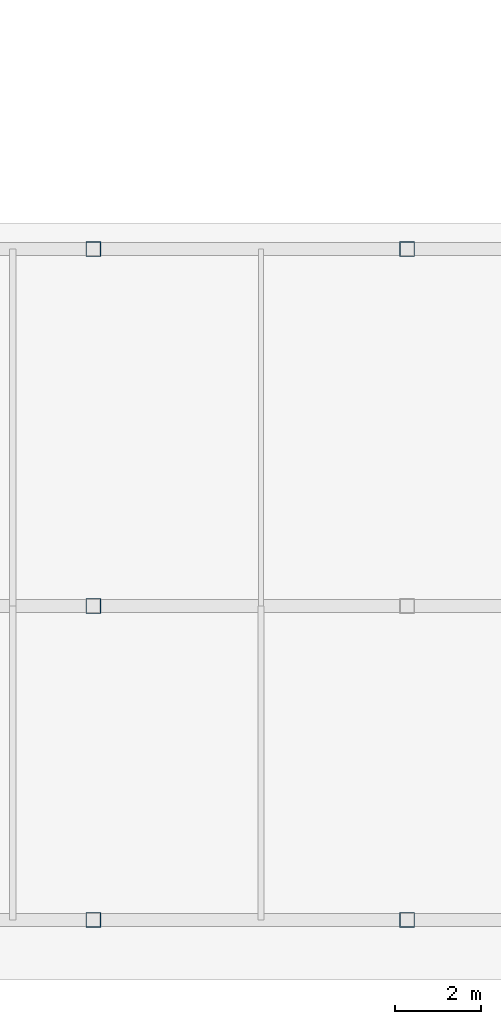
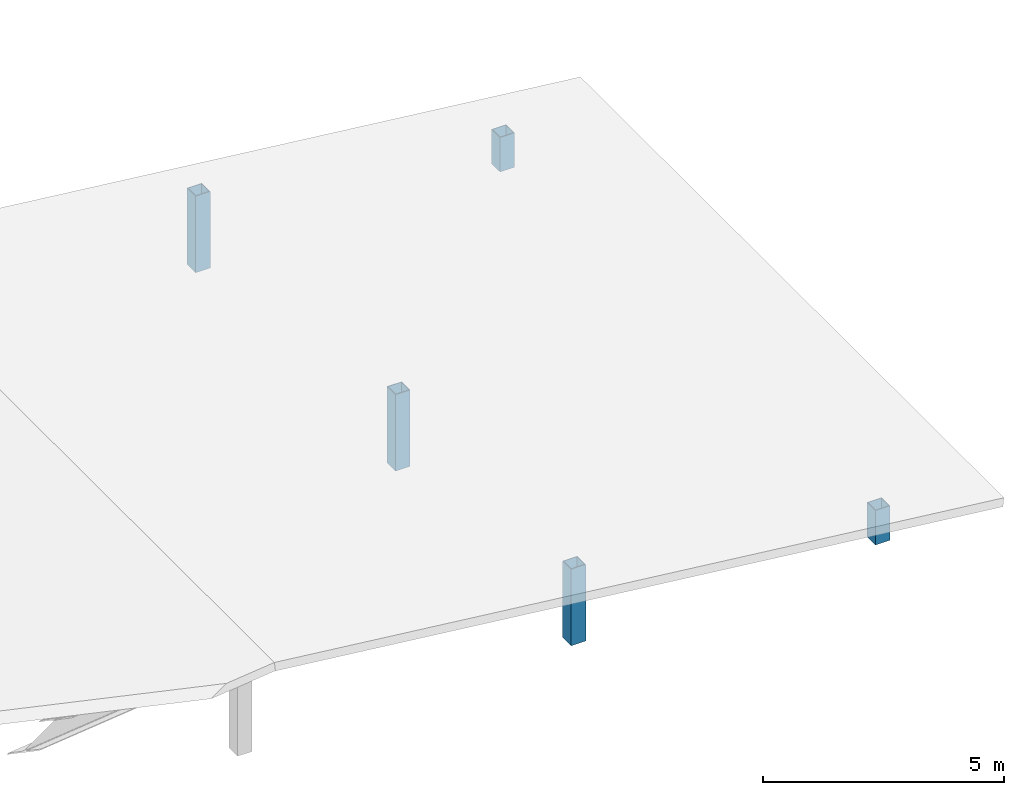
# One storey, part 4 of 49: 5 columns.
"""IFC4 building model written with IfcOpenShell, lengths in metres."""

from ifc_helpers import new_model, si_unit, direction, frame, origin, origin_2d, place, context, subcontext, project, spatial, hollow_rectangle, extrude, material, material_profile, profile_set, type_object, element, save


model = new_model("IFC4")

# Units and contexts
model_context = context("Model", 3, precision=1e-05, world=origin(), true_north=direction((0.0, 1.0)))
body_context = subcontext(model_context, "Body", "Model", "MODEL_VIEW")
ifc_project = project(units=[si_unit("LENGTHUNIT", "METRE"), si_unit("AREAUNIT", "SQUARE_METRE"), si_unit("VOLUMEUNIT", "CUBIC_METRE"), si_unit("PLANEANGLEUNIT", "RADIAN"), si_unit("MASSUNIT", "GRAM", prefix="KILO")], contexts=[model_context])

# Site, building, storey
site_placement = place(None, origin())
site = spatial("IfcSite", under=ifc_project, at=site_placement, CompositionType="ELEMENT")
building_placement = place(site_placement, origin())
building = spatial("IfcBuilding", under=site, at=building_placement, Name="Soyqirgoq Riverine Aquarium", CompositionType="ELEMENT")
storey_placement = place(building_placement, frame((0.0, 0.0, 15.0)))
storey = spatial("IfcBuildingStorey", under=building, at=storey_placement, Name="L04", CompositionType="ELEMENT", Elevation=15.0)

# Columns
ifc_material = material(Name="Structural steel S355", Category="steel")
ifc_material_profile = material_profile(ifc_material, hollow_rectangle(XDim=0.35009765625, YDim=0.35009765625, WallThickness=0.01611328125, at=origin_2d()), Name="SHS 350x350x16")
ifc_profile_set = profile_set([ifc_material_profile], Name="Structural steel S355")
column_type = type_object("IfcColumnType", Name="Col_Steel_SHS350", PredefinedType="COLUMN", material=ifc_profile_set)
for number, where, z_axis, x_axis, name in (
    (1, (153.300048828125, 2.199951171875, -0.260009765625), (0.0, 0.0, 1.0), (1.0, 0.0, 0.0), "V6 Roof Support Column E01"),
    (2, (153.300048828125, 17.800048828125, -0.260009765625), (0.0, 0.0, 1.0), (1.0, 0.0, 0.0), "V6 Roof Support Column E03"),
):
    element("IfcColumn", number, at=place(storey_placement, frame(where, z_axis=z_axis, x_axis=x_axis)), inside=storey, type_object=column_type, Name=name, PredefinedType="COLUMN", context=body_context, shape_type="SweptSolid", body=[
        extrude(hollow_rectangle(XDim=0.35009765625, YDim=0.35009765625, WallThickness=0.01611328125, at=origin_2d()), origin(), (0.0, 0.0, 1.0), 0.874755859375),
    ])
for number, where, z_axis, x_axis, name in (
    (3, (146.0, 2.199951171875, -0.260009765625), (0.0, 0.0, 1.0), (1.0, 0.0, 0.0), "V6 Roof Support Column V6-C-24"),
    (4, (146.0, 9.5, -0.260009765625), (0.0, 0.0, 1.0), (1.0, 0.0, 0.0), "V6 Roof Support Column V6-C-25"),
    (5, (146.0, 17.800048828125, -0.260009765625), (0.0, 0.0, 1.0), (1.0, 0.0, 0.0), "V6 Roof Support Column V6-C-26"),
):
    element("IfcColumn", number, at=place(storey_placement, frame(where, z_axis=z_axis, x_axis=x_axis)), inside=storey, type_object=column_type, Name=name, PredefinedType="COLUMN", context=body_context, shape_type="SweptSolid", body=[
        extrude(hollow_rectangle(XDim=0.35009765625, YDim=0.35009765625, WallThickness=0.01611328125, at=origin_2d()), origin(), (0.0, 0.0, 1.0), 1.942138671875),
    ])

save(model, "model.ifc")
